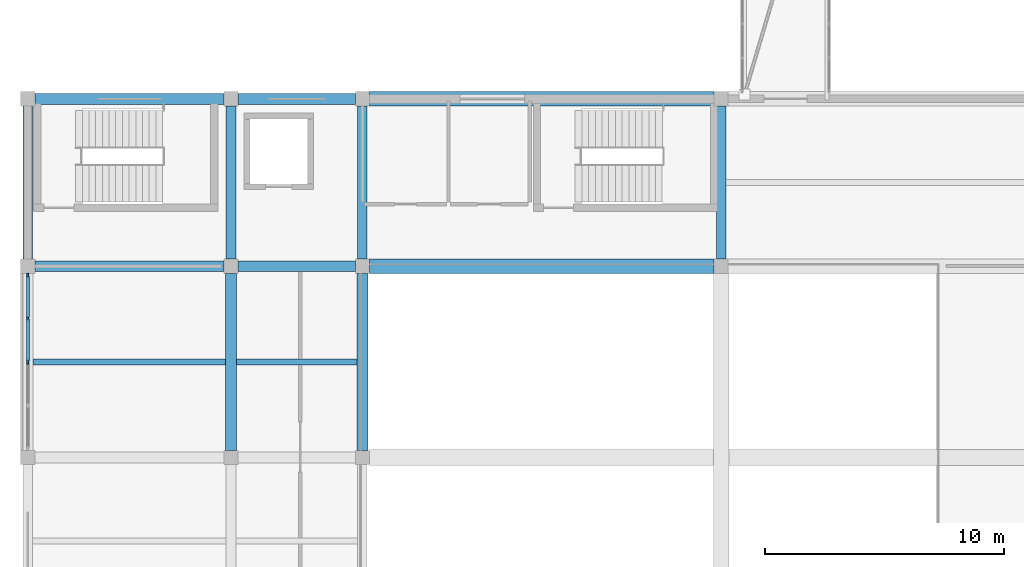
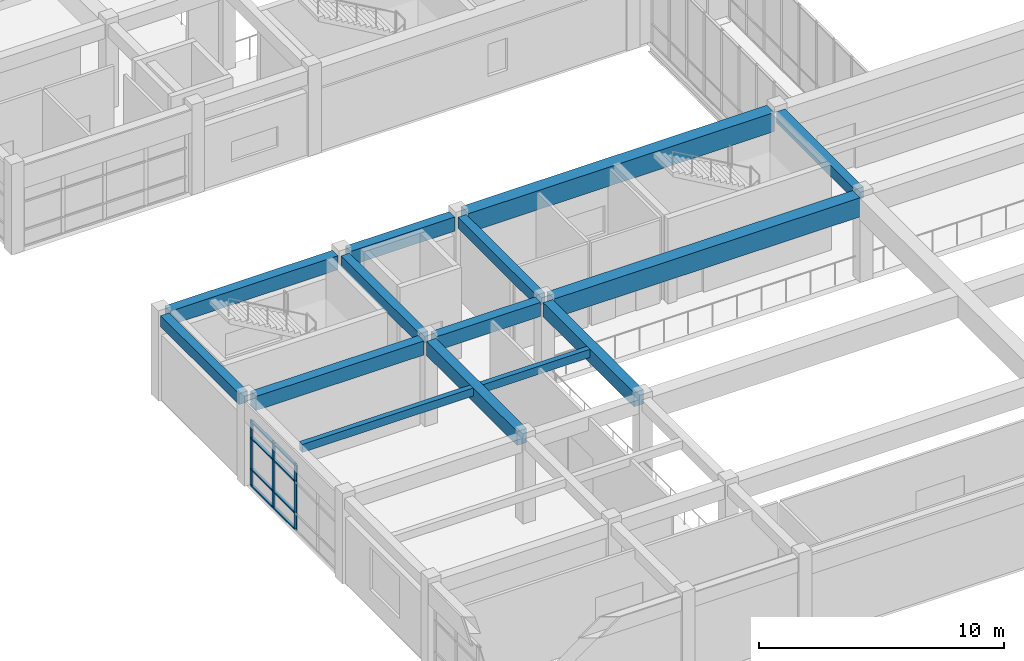
# One storey, part 5 of 72: 14 beams, 11 members, 1 element without a shape of its own.
"""IFC4 building model written with IfcOpenShell, lengths in metres."""

from ifc_helpers import new_model, si_unit, direction, frame, origin, origin_2d, place, context, subcontext, project, spatial, rectangle, extrude, material, layer, layer_set, material_profile, profile_set, type_object, element, aggregate, save


model = new_model("IFC4")

# Units and contexts
model_context = context("Model", 3, precision=1e-05, world=origin(), true_north=direction((0.0, 1.0)))
body_context = subcontext(model_context, "Body", "Model", "MODEL_VIEW")
ifc_project = project(units=[si_unit("LENGTHUNIT", "METRE"), si_unit("AREAUNIT", "SQUARE_METRE"), si_unit("VOLUMEUNIT", "CUBIC_METRE"), si_unit("PLANEANGLEUNIT", "RADIAN"), si_unit("MASSUNIT", "GRAM", prefix="KILO")], contexts=[model_context])

# Site, building, storey
site_placement = place(None, origin())
site = spatial("IfcSite", under=ifc_project, at=site_placement, CompositionType="ELEMENT")
building_placement = place(site_placement, origin())
building = spatial("IfcBuilding", under=site, at=building_placement, Name="Naurynzar Civic Courthouse", CompositionType="ELEMENT")
storey_placement = place(building_placement, frame((0.0, 0.0, 9.89990234375)))
storey = spatial("IfcBuildingStorey", under=building, at=storey_placement, Name="L03", CompositionType="ELEMENT", Elevation=9.89990234375)

# Beams
ifc_material_1 = material(Name="Concrete C40/50", Category="concrete")
ifc_material_profile_1 = material_profile(ifc_material_1, rectangle(XDim=0.25, YDim=0.39990234375, at=origin_2d()), Name="RCB 250x400")
ifc_profile_set_1 = profile_set([ifc_material_profile_1], Name="Concrete C40/50")
beam_type_1 = type_object("IfcBeamType", Name="BM-JST-250x400", PredefinedType="JOIST", material=ifc_profile_set_1)
beam_1_placement = place(storey_placement, frame((6.22509765625, 21.0, 4.030029296875), z_axis=(1.0, 0.0, 0.0), x_axis=(0.0, 1.0, 0.0)))
element("IfcBeam", 1, at=beam_1_placement, inside=storey, type_object=beam_type_1, Name="V4 secondary rib 1906 L03", PredefinedType="JOIST", context=body_context, shape_type="SweptSolid", body=[
    extrude(rectangle(XDim=0.25, YDim=0.39990234375, at=origin_2d()), origin(), (0.0, 0.0, 1.0), 8.0498046875),
])
beam_2_placement = place(storey_placement, frame((14.72509765625, 21.0, 4.030029296875), z_axis=(1.0, 0.0, 0.0), x_axis=(0.0, 1.0, 0.0)))
element("IfcBeam", 2, at=beam_2_placement, inside=storey, type_object=beam_type_1, Name="V4 secondary rib 1907 L03", PredefinedType="JOIST", context=body_context, shape_type="SweptSolid", body=[
    extrude(rectangle(XDim=0.25, YDim=0.39990234375, at=origin_2d()), origin(), (0.0, 0.0, 1.0), 5.0498046875),
])
ifc_material_2 = material(Name="Concrete C40/50", Category="concrete")
ifc_material_profile_2 = material_profile(ifc_material_2, rectangle(XDim=0.60009765625, YDim=0.949951171875, at=origin_2d()), Name="PTB 600x950")
ifc_profile_set_2 = profile_set([ifc_material_profile_2], Name="Concrete C40/50")
beam_type_2 = type_object("IfcBeamType", Name="BM-PT-600x950", PredefinedType="T_BEAM", material=ifc_profile_set_2)
for number, where, z_axis, x_axis, name in (
    (3, (20.300048828125, 25.0, 3.755126953125), (1.0, 0.0, 0.0), (0.0, 1.0, 0.0), "V4 beam X-1872 L03"),
    (4, (20.300048828125, 32.0, 3.755126953125), (1.0, 0.0, 0.0), (0.0, 1.0, 0.0), "V4 beam X-1877 L03"),
):
    element("IfcBeam", number, at=place(storey_placement, frame(where, z_axis=z_axis, x_axis=x_axis)), inside=storey, type_object=beam_type_2, Name=name, PredefinedType="T_BEAM", context=body_context, shape_type="SweptSolid", body=[
        extrude(rectangle(XDim=0.60009765625, YDim=0.949951171875, at=origin_2d()), origin(), (0.0, 0.0, 1.0), 14.39990234375),
    ])
ifc_material_3 = material(Name="Concrete C40/50", Category="concrete")
ifc_material_profile_3 = material_profile(ifc_material_3, rectangle(XDim=0.39990234375, YDim=0.550048828125, at=origin_2d()), Name="RCB 400x550")
ifc_profile_set_3 = profile_set([ifc_material_profile_3], Name="Concrete C40/50")
beam_type_3 = type_object("IfcBeamType", Name="BM-RC-400x550", PredefinedType="BEAM", material=ifc_profile_set_3)
for number, where, z_axis, x_axis, name in (
    (5, (6.0, 25.300048828125, 3.955078125), (0.0, 1.0, 0.0), (-1.0, 0.0, 0.0), "V4 girder Y-1883 L03"),
    (6, (14.5, 25.300048828125, 3.955078125), (0.0, 1.0, 0.0), (-1.0, 0.0, 0.0), "V4 girder Y-1887 L03"),
    (7, (20.0, 25.300048828125, 3.955078125), (0.0, 1.0, 0.0), (-1.0, 0.0, 0.0), "V4 girder Y-1891 L03"),
    (8, (35.0, 25.300048828125, 3.955078125), (0.0, 1.0, 0.0), (-1.0, 0.0, 0.0), "V4 girder Y-1894 L03"),
):
    element("IfcBeam", number, at=place(storey_placement, frame(where, z_axis=z_axis, x_axis=x_axis)), inside=storey, type_object=beam_type_3, Name=name, PredefinedType="BEAM", context=body_context, shape_type="SweptSolid", body=[
        extrude(rectangle(XDim=0.39990234375, YDim=0.550048828125, at=origin_2d()), origin(), (0.0, 0.0, 1.0), 6.39990234375),
    ])
ifc_material_4 = material(Name="Concrete C40/50", Category="concrete")
ifc_material_profile_4 = material_profile(ifc_material_4, rectangle(XDim=0.449951171875, YDim=0.699951171875, at=origin_2d()), Name="RCB 450x700")
ifc_profile_set_4 = profile_set([ifc_material_profile_4], Name="Concrete C40/50")
beam_type_4 = type_object("IfcBeamType", Name="BM-RC-450x700", PredefinedType="BEAM", material=ifc_profile_set_4)
beam_3_placement = place(storey_placement, frame((6.300048828125, 25.0, 3.880126953125), z_axis=(1.0, 0.0, 0.0), x_axis=(0.0, 1.0, 0.0)))
element("IfcBeam", 9, at=beam_3_placement, inside=storey, type_object=beam_type_4, Name="V4 beam X-1870 L03", PredefinedType="BEAM", context=body_context, shape_type="SweptSolid", body=[
    extrude(rectangle(XDim=0.449951171875, YDim=0.699951171875, at=origin_2d()), origin(), (0.0, 0.0, 1.0), 7.89990234375),
])
beam_4_placement = place(storey_placement, frame((14.800048828125, 25.0, 3.880126953125), z_axis=(1.0, 0.0, 0.0), x_axis=(0.0, 1.0, 0.0)))
element("IfcBeam", 10, at=beam_4_placement, inside=storey, type_object=beam_type_4, Name="V4 beam X-1871 L03", PredefinedType="BEAM", context=body_context, shape_type="SweptSolid", body=[
    extrude(rectangle(XDim=0.449951171875, YDim=0.699951171875, at=origin_2d()), origin(), (0.0, 0.0, 1.0), 4.89990234375),
])
beam_5_placement = place(storey_placement, frame((6.300048828125, 32.0, 3.880126953125), z_axis=(1.0, 0.0, 0.0), x_axis=(0.0, 1.0, 0.0)))
element("IfcBeam", 11, at=beam_5_placement, inside=storey, type_object=beam_type_4, Name="V4 beam X-1875 L03", PredefinedType="BEAM", context=body_context, shape_type="SweptSolid", body=[
    extrude(rectangle(XDim=0.449951171875, YDim=0.699951171875, at=origin_2d()), origin(), (0.0, 0.0, 1.0), 7.89990234375),
])
beam_6_placement = place(storey_placement, frame((14.800048828125, 32.0, 3.880126953125), z_axis=(1.0, 0.0, 0.0), x_axis=(0.0, 1.0, 0.0)))
element("IfcBeam", 12, at=beam_6_placement, inside=storey, type_object=beam_type_4, Name="V4 beam X-1876 L03", PredefinedType="BEAM", context=body_context, shape_type="SweptSolid", body=[
    extrude(rectangle(XDim=0.449951171875, YDim=0.699951171875, at=origin_2d()), origin(), (0.0, 0.0, 1.0), 4.89990234375),
])
for number, where, z_axis, x_axis, name in (
    (13, (14.5, 17.300048828125, 3.880126953125), (0.0, 1.0, 0.0), (-1.0, 0.0, 0.0), "V4 girder Y-1886 L03"),
    (14, (20.0, 17.300048828125, 3.880126953125), (0.0, 1.0, 0.0), (-1.0, 0.0, 0.0), "V4 girder Y-1890 L03"),
):
    element("IfcBeam", number, at=place(storey_placement, frame(where, z_axis=z_axis, x_axis=x_axis)), inside=storey, type_object=beam_type_4, Name=name, PredefinedType="BEAM", context=body_context, shape_type="SweptSolid", body=[
        extrude(rectangle(XDim=0.449951171875, YDim=0.699951171875, at=origin_2d()), origin(), (0.0, 0.0, 1.0), 7.39990234375),
    ])

# Curtain wall, members
ifc_material_5 = material(Name="Aluminium 6063-T6", Category="aluminium")
ifc_layer = layer(ifc_material_5, 0.159912109375)
ifc_layer_set = layer_set([ifc_layer], Name="CW-UNIT-1800")
curtain_wall_type = type_object("IfcCurtainWallType", Name="CW-UNIT-1800", PredefinedType="NOTDEFINED", material=ifc_layer_set)
curtain_wall_placement = place(storey_placement, origin())
curtain_wall = element("IfcCurtainWall", 15, at=curtain_wall_placement, inside=storey, type_object=curtain_wall_type, Name="V4 unitised curtain wall 78 L03", PredefinedType="NOTDEFINED")
ifc_material_6 = material(Name="Aluminium 6063-T6", Category="aluminium")
ifc_material_profile_5 = material_profile(ifc_material_6, rectangle(XDim=0.070068359375, YDim=0.179931640625, at=origin_2d()), Name="ALU MULLION 70x180")
ifc_profile_set_5 = profile_set([ifc_material_profile_5], Name="Aluminium 6063-T6")
member_type_1 = type_object("IfcMemberType", Name="CWM-70x180", PredefinedType="MULLION", material=ifc_profile_set_5)
member_1_placement = place(storey_placement, frame((6.0, 21.0, 0.0), z_axis=(0.0, 0.0, 1.0), x_axis=(-1.0, 0.0, 0.0)))
member_1 = element("IfcMember", 16, at=member_1_placement, type_object=member_type_1, Name="CW-02 mullion 3", PredefinedType="MULLION", context=body_context, shape_type="SweptSolid", body=[
    extrude(rectangle(XDim=0.070068359375, YDim=0.179931640625, at=origin_2d()), origin(), (0.0, 0.0, 1.0), 3.260009765625),
])
member_2_placement = place(storey_placement, frame((6.0, 22.824951171875, 0.0), z_axis=(0.0, 0.0, 1.0), x_axis=(-1.0, 0.0, 0.0)))
member_2 = element("IfcMember", 17, at=member_2_placement, type_object=member_type_1, Name="CW-02 mullion 4", PredefinedType="MULLION", context=body_context, shape_type="SweptSolid", body=[
    extrude(rectangle(XDim=0.070068359375, YDim=0.179931640625, at=origin_2d()), origin(), (0.0, 0.0, 1.0), 3.260009765625),
])
member_3_placement = place(storey_placement, frame((6.0, 24.614990234375, 0.0), z_axis=(0.0, 0.0, 1.0), x_axis=(-1.0, 0.0, 0.0)))
member_3 = element("IfcMember", 18, at=member_3_placement, type_object=member_type_1, Name="CW-02 mullion 5", PredefinedType="MULLION", context=body_context, shape_type="SweptSolid", body=[
    extrude(rectangle(XDim=0.070068359375, YDim=0.179931640625, at=origin_2d()), origin(), (0.0, 0.0, 1.0), 3.260009765625),
])
ifc_material_7 = material(Name="Aluminium 6063-T6", Category="aluminium")
ifc_material_profile_6 = material_profile(ifc_material_7, rectangle(XDim=0.1298828125, YDim=0.070068359375, at=origin_2d()), Name="ALU TRANSOM 70x130")
ifc_profile_set_6 = profile_set([ifc_material_profile_6], Name="Aluminium 6063-T6")
member_type_2 = type_object("IfcMemberType", Name="CWT-70x130", PredefinedType="USERDEFINED", material=ifc_profile_set_6)
member_4_placement = place(storey_placement, frame((6.0, 21.034912109375, 0.03515625), z_axis=(0.0, 1.0, 0.0), x_axis=(-1.0, 0.0, 0.0)))
member_4 = element("IfcMember", 19, at=member_4_placement, type_object=member_type_2, Name="CW-02 transom 3.1", ObjectType="TRANSOM", PredefinedType="USERDEFINED", context=body_context, shape_type="SweptSolid", body=[
    extrude(rectangle(XDim=0.1298828125, YDim=0.070068359375, at=origin_2d()), origin(), (0.0, 0.0, 1.0), 1.755126953125),
])
member_5_placement = place(storey_placement, frame((6.0, 21.034912109375, 0.85009765625), z_axis=(0.0, 1.0, 0.0), x_axis=(-1.0, 0.0, 0.0)))
member_5 = element("IfcMember", 20, at=member_5_placement, type_object=member_type_2, Name="CW-02 transom 3.2", ObjectType="TRANSOM", PredefinedType="USERDEFINED", context=body_context, shape_type="SweptSolid", body=[
    extrude(rectangle(XDim=0.1298828125, YDim=0.070068359375, at=origin_2d()), origin(), (0.0, 0.0, 1.0), 1.755126953125),
])
member_6_placement = place(storey_placement, frame((6.0, 21.034912109375, 2.41015625), z_axis=(0.0, 1.0, 0.0), x_axis=(-1.0, 0.0, 0.0)))
member_6 = element("IfcMember", 21, at=member_6_placement, type_object=member_type_2, Name="CW-02 transom 3.3", ObjectType="TRANSOM", PredefinedType="USERDEFINED", context=body_context, shape_type="SweptSolid", body=[
    extrude(rectangle(XDim=0.1298828125, YDim=0.070068359375, at=origin_2d()), origin(), (0.0, 0.0, 1.0), 1.755126953125),
])
member_7_placement = place(storey_placement, frame((6.0, 21.034912109375, 3.22509765625), z_axis=(0.0, 1.0, 0.0), x_axis=(-1.0, 0.0, 0.0)))
member_7 = element("IfcMember", 22, at=member_7_placement, type_object=member_type_2, Name="CW-02 transom 3.4", ObjectType="TRANSOM", PredefinedType="USERDEFINED", context=body_context, shape_type="SweptSolid", body=[
    extrude(rectangle(XDim=0.1298828125, YDim=0.070068359375, at=origin_2d()), origin(), (0.0, 0.0, 1.0), 1.755126953125),
])
member_8_placement = place(storey_placement, frame((6.0, 22.860107421875, 0.03515625), z_axis=(0.0, 1.0, 0.0), x_axis=(-1.0, 0.0, 0.0)))
member_8 = element("IfcMember", 23, at=member_8_placement, type_object=member_type_2, Name="CW-02 transom 4.1", ObjectType="TRANSOM", PredefinedType="USERDEFINED", context=body_context, shape_type="SweptSolid", body=[
    extrude(rectangle(XDim=0.1298828125, YDim=0.070068359375, at=origin_2d()), origin(), (0.0, 0.0, 1.0), 1.719970703125),
])
member_9_placement = place(storey_placement, frame((6.0, 22.860107421875, 0.85009765625), z_axis=(0.0, 1.0, 0.0), x_axis=(-1.0, 0.0, 0.0)))
member_9 = element("IfcMember", 24, at=member_9_placement, type_object=member_type_2, Name="CW-02 transom 4.2", ObjectType="TRANSOM", PredefinedType="USERDEFINED", context=body_context, shape_type="SweptSolid", body=[
    extrude(rectangle(XDim=0.1298828125, YDim=0.070068359375, at=origin_2d()), origin(), (0.0, 0.0, 1.0), 1.719970703125),
])
member_10_placement = place(storey_placement, frame((6.0, 22.860107421875, 2.41015625), z_axis=(0.0, 1.0, 0.0), x_axis=(-1.0, 0.0, 0.0)))
member_10 = element("IfcMember", 25, at=member_10_placement, type_object=member_type_2, Name="CW-02 transom 4.3", ObjectType="TRANSOM", PredefinedType="USERDEFINED", context=body_context, shape_type="SweptSolid", body=[
    extrude(rectangle(XDim=0.1298828125, YDim=0.070068359375, at=origin_2d()), origin(), (0.0, 0.0, 1.0), 1.719970703125),
])
member_11_placement = place(storey_placement, frame((6.0, 22.860107421875, 3.22509765625), z_axis=(0.0, 1.0, 0.0), x_axis=(-1.0, 0.0, 0.0)))
member_11 = element("IfcMember", 26, at=member_11_placement, type_object=member_type_2, Name="CW-02 transom 4.4", ObjectType="TRANSOM", PredefinedType="USERDEFINED", context=body_context, shape_type="SweptSolid", body=[
    extrude(rectangle(XDim=0.1298828125, YDim=0.070068359375, at=origin_2d()), origin(), (0.0, 0.0, 1.0), 1.719970703125),
])
aggregate(curtain_wall, [member_1, member_2, member_3, member_4, member_5, member_6, member_7, member_8, member_9, member_10, member_11])

save(model, "model.ifc")
